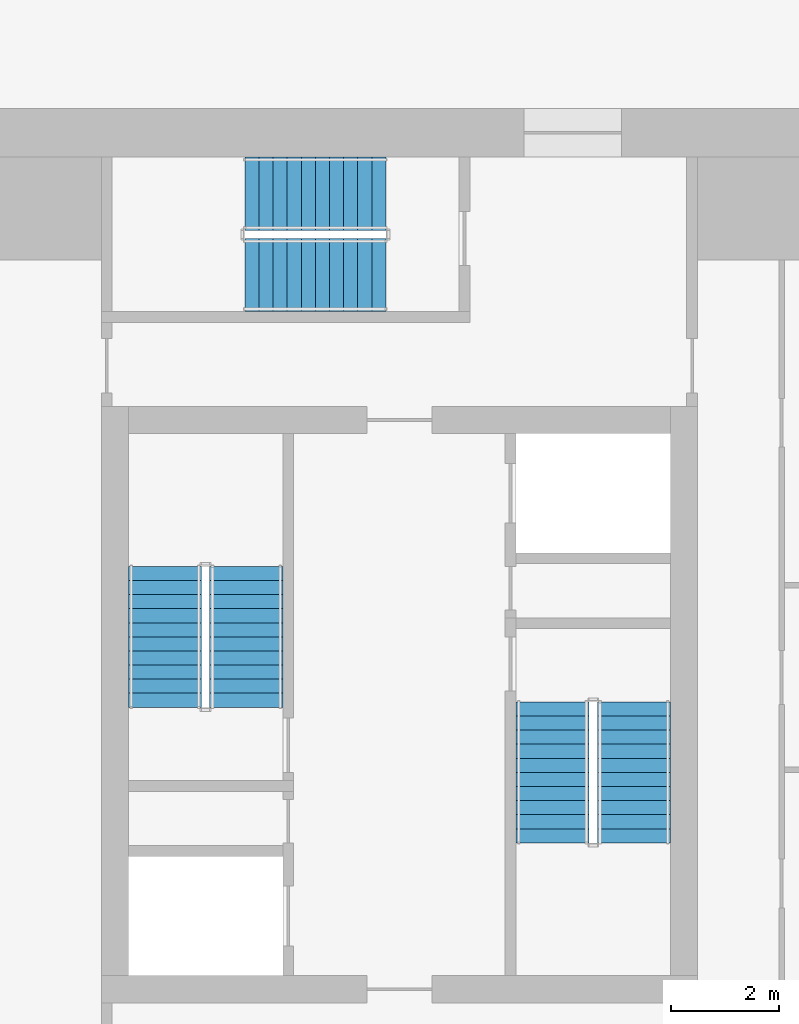
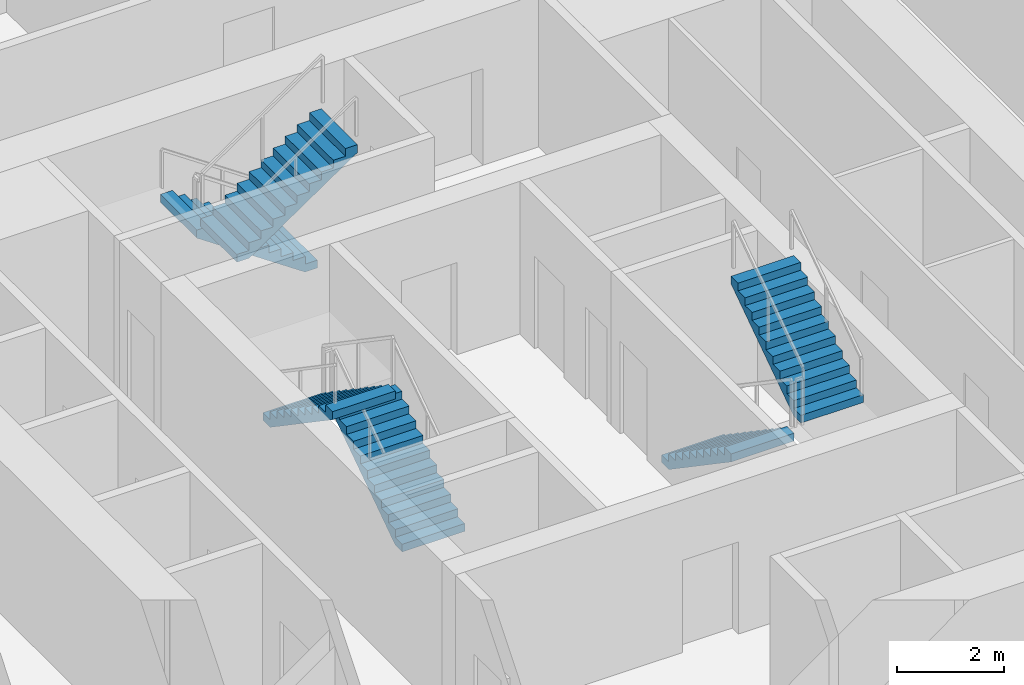
# One storey, part 11 of 16: 6 stair flights, 3 elements without a shape of their own.
"""IFC4 building model written with IfcOpenShell, lengths in metres."""

import ifcopenshell
import ifcopenshell.guid

model = None  # the IFC model being written
_history = None  # IfcOwnerHistory: only IFC2X3 demands one
_inside = {}  # id of a spatial element -> (the spatial element, [elements in it])
_under = {}  # id of a project, library or spatial element -> (it, [spatial elements below it])
_declared = {}  # id of a project -> (the project, [libraries it declares])
_typed = {}  # id of a type object -> (the type object, [elements of that type])
_made_of = {}  # id of a material, layer set ... -> (it, [elements and type objects made of it])


def new_model(schema):
    """Start an empty IFC model of exactly this schema.

    Asked for "IFC4X3", IfcOpenShell would pick the latest addendum, in which some entities
    have other attributes; the version numbers below select the first issue.
    IFC2X3 requires an IfcOwnerHistory on every rooted entity: one is made here for all.
    """
    global model, _history
    if schema == "IFC4X3":
        model = ifcopenshell.file(schema_version=(4, 3, 0, 0))
    else:
        model = ifcopenshell.file(schema=schema)
    _inside.clear()
    _under.clear()
    _declared.clear()
    _typed.clear()
    _made_of.clear()
    _history = None
    if model.schema == "IFC2X3":
        org = make("IfcOrganization", Name="unknown")
        user = make(
            "IfcPersonAndOrganization",
            ThePerson=make("IfcPerson", FamilyName="unknown"),
            TheOrganization=org,
        )
        app = make(
            "IfcApplication",
            ApplicationDeveloper=org,
            Version="unknown",
            ApplicationFullName="unknown",
            ApplicationIdentifier="unknown",
        )
        _history = make(
            "IfcOwnerHistory",
            OwningUser=user,
            OwningApplication=app,
            ChangeAction="ADDED",
            CreationDate=0,
        )
    return model


def make(cls, **values):
    """One entity of the class cls with the attributes given. An attribute that is None is left unset."""
    return model.create_entity(
        cls, **{name: value for name, value in values.items() if value is not None}
    )


def rooted(cls, **values):
    """An entity with a GlobalId (a new one), such as an element, a storey or a relation."""
    return make(cls, GlobalId=ifcopenshell.guid.new(), OwnerHistory=_history, **values)


def si_unit(unit_type, name, prefix=None):
    """IfcSIUnit, for example si_unit("LENGTHUNIT", "METRE", prefix="MILLI")."""
    return make("IfcSIUnit", UnitType=unit_type, Prefix=prefix, Name=name)


def assignment(units):
    """IfcUnitAssignment: the units of a project."""
    return None if units is None else make("IfcUnitAssignment", Units=units)


def point(xyz):
    """IfcCartesianPoint."""
    return None if xyz is None else make("IfcCartesianPoint", Coordinates=xyz)


def direction(xyz):
    """IfcDirection."""
    return None if xyz is None else make("IfcDirection", DirectionRatios=xyz)


def frame(location, z_axis=None, x_axis=None):
    """IfcAxis2Placement3D, a coordinate frame: its origin and axes. An axis left out is left unset."""
    return make(
        "IfcAxis2Placement3D",
        Location=point(location),
        Axis=direction(z_axis),
        RefDirection=direction(x_axis),
    )


def origin():
    """The frame at (0, 0, 0) with its axes left unset."""
    return frame((0.0, 0.0, 0.0))


def place(relative_to, where):
    """IfcLocalPlacement: puts the frame where relative to a parent placement (None: the world)."""
    return make(
        "IfcLocalPlacement", PlacementRelTo=relative_to, RelativePlacement=where
    )


def context(
    kind, dimensions, precision=None, world=None, true_north=None, identifier=None
):
    """IfcGeometricRepresentationContext, for example the 3D "Model" context."""
    return make(
        "IfcGeometricRepresentationContext",
        ContextIdentifier=identifier,
        ContextType=kind,
        CoordinateSpaceDimension=dimensions,
        Precision=precision,
        WorldCoordinateSystem=world,
        TrueNorth=true_north,
    )


def subcontext(parent, identifier, kind, view, scale=None):
    """IfcGeometricRepresentationSubContext, for example "Body" below "Model"."""
    return make(
        "IfcGeometricRepresentationSubContext",
        ContextIdentifier=identifier,
        ContextType=kind,
        ParentContext=parent,
        TargetScale=scale,
        TargetView=view,
    )


def project(units=None, contexts=None):
    """IfcProject with its units and contexts."""
    return rooted(
        "IfcProject",
        Name="project",
        RepresentationContexts=contexts,
        UnitsInContext=assignment(units),
    )


def spatial(cls, under=None, at=None, **own):
    """A site, building, storey or space (cls), placed at a placement, below another one or the project."""
    s = rooted(cls, ObjectPlacement=at, **own)
    if under is not None:
        _under.setdefault(under.id(), (under, []))[1].append(s)
    return s


def polyline(points):
    """IfcPolyline through the points."""
    return make("IfcPolyline", Points=[point(p) for p in points])


def outline(outer, holes=None, kind="AREA"):
    """IfcArbitraryClosedProfileDef: a profile drawn as a closed curve; with holes, ...WithVoids."""
    if holes is None:
        return make("IfcArbitraryClosedProfileDef", ProfileType=kind, OuterCurve=outer)
    return make(
        "IfcArbitraryProfileDefWithVoids",
        ProfileType=kind,
        OuterCurve=outer,
        InnerCurves=holes,
    )


def extrude(swept, where, along, depth):
    """IfcExtrudedAreaSolid: the profile swept, set in the frame where, extruded along a direction by depth."""
    return make(
        "IfcExtrudedAreaSolid",
        SweptArea=swept,
        Position=where,
        ExtrudedDirection=direction(along),
        Depth=depth,
    )


def shape(context_of_items, identifier, shape_type, items):
    """IfcShapeRepresentation: the items that make up one representation, for example the "Body"."""
    return make(
        "IfcShapeRepresentation",
        ContextOfItems=context_of_items,
        RepresentationIdentifier=identifier,
        RepresentationType=shape_type,
        Items=items,
    )


def material(Name=None, Category=None):
    """IfcMaterial."""
    return make("IfcMaterial", Name=Name, Category=Category)


def made_of(thing, what):
    """Note that an element or type object is made of a material, layer set ...; save() writes the relation."""
    if what is not None:
        _made_of.setdefault(what.id(), (what, []))[1].append(thing)
    return thing


def type_object(cls, material=None, **own):
    """A type object (cls), such as IfcWallType, which elements share."""
    return made_of(rooted(cls, **own), material)


def element(
    cls,
    number,
    at=None,
    inside=None,
    cuts=None,
    type_object=None,
    material=None,
    context=None,
    identifier="Body",
    shape_type=None,
    held_by="IfcProductDefinitionShape",
    body=None,
    shapes=None,
    **own,
):
    """One element of the class cls, such as IfcWall. Its Tag is "e" and its number.

    at: its placement. inside: the storey or other place that contains it. cuts: it is an
    opening in that element (IfcRelVoidsElement). A single representation is given by context,
    identifier, shape_type and body (its items); several are given by shapes. held_by: the class
    of the entity that holds the representations. save() writes the other relations.
    """
    e = rooted(cls, Tag="e%d" % number, ObjectPlacement=at, **own)
    if body is not None:
        shapes = [shape(context, identifier, shape_type, body)]
    if shapes is not None:
        e.Representation = make(held_by, Representations=shapes)
    if inside is not None:
        _inside.setdefault(inside.id(), (inside, []))[1].append(e)
    if cuts is not None:
        rooted(
            "IfcRelVoidsElement", RelatingBuildingElement=cuts, RelatedOpeningElement=e
        )
    if type_object is not None:
        _typed.setdefault(type_object.id(), (type_object, []))[1].append(e)
    return made_of(e, material)


def aggregate(whole, parts):
    """IfcRelAggregates: a whole, such as a stair, and the parts it consists of."""
    return rooted("IfcRelAggregates", RelatingObject=whole, RelatedObjects=parts)


def save(model, path):
    """Write the relations noted so far, then the file.

    IfcRelAggregates (storeys below a building ...), IfcRelContainedInSpatialStructure (elements
    in a storey), IfcRelDefinesByType, IfcRelAssociatesMaterial and IfcRelDeclares: one each for
    every whole, place, type object, material and project.
    """
    for whole, parts in _under.values():
        aggregate(whole, parts)
    for where, things in _inside.values():
        rooted(
            "IfcRelContainedInSpatialStructure",
            RelatedElements=things,
            RelatingStructure=where,
        )
    for kind, things in _typed.values():
        rooted("IfcRelDefinesByType", RelatedObjects=things, RelatingType=kind)
    for what, things in _made_of.values():
        rooted("IfcRelAssociatesMaterial", RelatedObjects=things, RelatingMaterial=what)
    for by, libraries in _declared.values():
        rooted("IfcRelDeclares", RelatingContext=by, RelatedDefinitions=libraries)
    model.write(path)


model = new_model("IFC4")

# Units and contexts
model_context = context("Model", 3, precision=1e-05, world=origin(), true_north=direction((0.0, 1.0)))
body_context = subcontext(model_context, "Body", "Model", "MODEL_VIEW")
ifc_project = project(units=[si_unit("LENGTHUNIT", "METRE"), si_unit("AREAUNIT", "SQUARE_METRE"), si_unit("VOLUMEUNIT", "CUBIC_METRE"), si_unit("PLANEANGLEUNIT", "RADIAN"), si_unit("MASSUNIT", "GRAM", prefix="KILO")], contexts=[model_context])

# Site, building, storey
site_placement = place(None, origin())
site = spatial("IfcSite", under=ifc_project, at=site_placement, CompositionType="ELEMENT")
building_placement = place(site_placement, origin())
building = spatial("IfcBuilding", under=site, at=building_placement, Name="Khepri Terraces", CompositionType="ELEMENT")
storey_placement = place(building_placement, frame((0.0, 0.0, 79.199951171875)))
storey = spatial("IfcBuildingStorey", under=building, at=storey_placement, Name="L18", CompositionType="ELEMENT", Elevation=79.199951171875)

# Stair, stair flights
ifc_material = material(Name="Concrete C40/50", Category="concrete")
stair_type = type_object("IfcStairType", Name="STAIR-RC-22R", PredefinedType="HALF_TURN_STAIR", material=ifc_material)
stair_1_placement = place(storey_placement, origin())
stair_1 = element("IfcStair", 1, at=stair_1_placement, inside=storey, type_object=stair_type, Name="L18 Exit Stair ST-1", PredefinedType="HALF_TURN_STAIR")
stair_flight_type = type_object("IfcStairFlightType", Name="SFL-RC-177.3", PredefinedType="STRAIGHT", material=ifc_material)
stair_flight_1_placement = place(storey_placement, frame((-2.824951171875, -0.050048828125, 0.0), z_axis=(0.0, 0.0, 1.0), x_axis=(0.0, 1.0, 0.0)))
stair_flight_1 = element("IfcStairFlight", 2, at=stair_flight_1_placement, type_object=stair_flight_type, Name="ST-1 flight 1", NumberOfRisers=11, NumberOfTreads=10, PredefinedType="STRAIGHT", RiserHeight=0.177272727, TreadLength=0.26, context=body_context, shape_type="SweptSolid", body=[
    extrude(outline(polyline([(0.0, 0.0), (0.0, 0.17724609375), (0.260009765625, 0.17724609375), (0.260009765625, 0.3544921875), (0.52001953125, 0.3544921875), (0.52001953125, 0.53173828125), (0.780029296875, 0.53173828125), (0.780029296875, 0.708984375), (1.0400390625, 0.708984375), (1.0400390625, 0.886474609375), (1.300048828125, 0.886474609375), (1.300048828125, 1.063720703125), (1.56005859375, 1.063720703125), (1.56005859375, 1.240966796875), (1.820068359375, 1.240966796875), (1.820068359375, 1.418212890625), (2.080078125, 1.418212890625), (2.080078125, 1.595458984375), (2.340087890625, 1.595458984375), (2.340087890625, 1.772705078125), (2.60009765625, 1.772705078125), (2.60009765625, 1.949951171875), (2.60009765625, 1.59130859375), (0.26611328125, 0.0), (0.0, 0.0)])), frame((0.0, 0.675048828125, 0.0), z_axis=(0.0, -1.0, 0.0), x_axis=(1.0, 0.0, 0.0)), (0.0, 0.0, 1.0), 1.35009765625),
])
stair_flight_2_placement = place(storey_placement, frame((-4.324951171875, 2.550048828125, 1.949951171875), z_axis=(0.0, 0.0, 1.0), x_axis=(0.0, -1.0, 0.0)))
stair_flight_2 = element("IfcStairFlight", 3, at=stair_flight_2_placement, type_object=stair_flight_type, Name="ST-1 flight 2", NumberOfRisers=11, NumberOfTreads=10, PredefinedType="STRAIGHT", RiserHeight=0.177272727, TreadLength=0.26, context=body_context, shape_type="SweptSolid", body=[
    extrude(outline(polyline([(0.0, 0.0), (0.0, 0.17724609375), (0.260009765625, 0.17724609375), (0.260009765625, 0.3544921875), (0.52001953125, 0.3544921875), (0.52001953125, 0.53173828125), (0.780029296875, 0.53173828125), (0.780029296875, 0.708984375), (1.0400390625, 0.708984375), (1.0400390625, 0.886474609375), (1.300048828125, 0.886474609375), (1.300048828125, 1.063720703125), (1.56005859375, 1.063720703125), (1.56005859375, 1.240966796875), (1.820068359375, 1.240966796875), (1.820068359375, 1.418212890625), (2.080078125, 1.418212890625), (2.080078125, 1.595458984375), (2.340087890625, 1.595458984375), (2.340087890625, 1.772705078125), (2.60009765625, 1.772705078125), (2.60009765625, 1.949951171875), (2.60009765625, 1.59130859375), (0.26611328125, 0.0), (0.0, 0.0)])), frame((0.0, 0.675048828125, 0.0), z_axis=(0.0, -1.0, 0.0), x_axis=(1.0, 0.0, 0.0)), (0.0, 0.0, 1.0), 1.35009765625),
])
aggregate(stair_1, [stair_flight_1, stair_flight_2])

stair_2_placement = place(storey_placement, origin())
stair_2 = element("IfcStair", 4, at=stair_2_placement, inside=storey, type_object=stair_type, Name="L18 Exit Stair ST-2", PredefinedType="HALF_TURN_STAIR")
stair_flight_3_placement = place(storey_placement, frame((2.824951171875, 0.050048828125, 0.0), z_axis=(0.0, 0.0, 1.0), x_axis=(0.0, -1.0, 0.0)))
stair_flight_3 = element("IfcStairFlight", 5, at=stair_flight_3_placement, type_object=stair_flight_type, Name="ST-2 flight 1", NumberOfRisers=11, NumberOfTreads=10, PredefinedType="STRAIGHT", RiserHeight=0.177272727, TreadLength=0.26, context=body_context, shape_type="SweptSolid", body=[
    extrude(outline(polyline([(0.0, 0.0), (0.0, 0.17724609375), (0.260009765625, 0.17724609375), (0.260009765625, 0.3544921875), (0.52001953125, 0.3544921875), (0.52001953125, 0.53173828125), (0.780029296875, 0.53173828125), (0.780029296875, 0.708984375), (1.0400390625, 0.708984375), (1.0400390625, 0.886474609375), (1.300048828125, 0.886474609375), (1.300048828125, 1.063720703125), (1.56005859375, 1.063720703125), (1.56005859375, 1.240966796875), (1.820068359375, 1.240966796875), (1.820068359375, 1.418212890625), (2.080078125, 1.418212890625), (2.080078125, 1.595458984375), (2.340087890625, 1.595458984375), (2.340087890625, 1.772705078125), (2.60009765625, 1.772705078125), (2.60009765625, 1.949951171875), (2.60009765625, 1.59130859375), (0.26611328125, 0.0), (0.0, 0.0)])), frame((0.0, 0.675048828125, 0.0), z_axis=(0.0, -1.0, 0.0), x_axis=(1.0, 0.0, 0.0)), (0.0, 0.0, 1.0), 1.35009765625),
])
stair_flight_4_placement = place(storey_placement, frame((4.324951171875, -2.550048828125, 1.949951171875), z_axis=(0.0, 0.0, 1.0), x_axis=(0.0, 1.0, 0.0)))
stair_flight_4 = element("IfcStairFlight", 6, at=stair_flight_4_placement, type_object=stair_flight_type, Name="ST-2 flight 2", NumberOfRisers=11, NumberOfTreads=10, PredefinedType="STRAIGHT", RiserHeight=0.177272727, TreadLength=0.26, context=body_context, shape_type="SweptSolid", body=[
    extrude(outline(polyline([(0.0, 0.0), (0.0, 0.17724609375), (0.260009765625, 0.17724609375), (0.260009765625, 0.3544921875), (0.52001953125, 0.3544921875), (0.52001953125, 0.53173828125), (0.780029296875, 0.53173828125), (0.780029296875, 0.708984375), (1.0400390625, 0.708984375), (1.0400390625, 0.886474609375), (1.300048828125, 0.886474609375), (1.300048828125, 1.063720703125), (1.56005859375, 1.063720703125), (1.56005859375, 1.240966796875), (1.820068359375, 1.240966796875), (1.820068359375, 1.418212890625), (2.080078125, 1.418212890625), (2.080078125, 1.595458984375), (2.340087890625, 1.595458984375), (2.340087890625, 1.772705078125), (2.60009765625, 1.772705078125), (2.60009765625, 1.949951171875), (2.60009765625, 1.59130859375), (0.26611328125, 0.0), (0.0, 0.0)])), frame((0.0, 0.675048828125, 0.0), z_axis=(0.0, -1.0, 0.0), x_axis=(1.0, 0.0, 0.0)), (0.0, 0.0, 1.0), 1.35009765625),
])
aggregate(stair_2, [stair_flight_3, stair_flight_4])

stair_3_placement = place(storey_placement, origin())
stair_3 = element("IfcStair", 7, at=stair_3_placement, inside=storey, type_object=stair_type, Name="L18 Exit Stair ST-3", PredefinedType="HALF_TURN_STAIR")
stair_flight_5_placement = place(storey_placement, frame((-0.25, 9.425048828125, 0.0), z_axis=(0.0, 0.0, 1.0), x_axis=(-1.0, 0.0, 0.0)))
stair_flight_5 = element("IfcStairFlight", 8, at=stair_flight_5_placement, type_object=stair_flight_type, Name="ST-3 flight 1", NumberOfRisers=11, NumberOfTreads=10, PredefinedType="STRAIGHT", RiserHeight=0.177272727, TreadLength=0.26, context=body_context, shape_type="SweptSolid", body=[
    extrude(outline(polyline([(0.0, 0.0), (0.0, 0.17724609375), (0.260009765625, 0.17724609375), (0.260009765625, 0.3544921875), (0.52001953125, 0.3544921875), (0.52001953125, 0.53173828125), (0.780029296875, 0.53173828125), (0.780029296875, 0.708984375), (1.0400390625, 0.708984375), (1.0400390625, 0.886474609375), (1.300048828125, 0.886474609375), (1.300048828125, 1.063720703125), (1.56005859375, 1.063720703125), (1.56005859375, 1.240966796875), (1.820068359375, 1.240966796875), (1.820068359375, 1.418212890625), (2.080078125, 1.418212890625), (2.080078125, 1.595458984375), (2.340087890625, 1.595458984375), (2.340087890625, 1.772705078125), (2.60009765625, 1.772705078125), (2.60009765625, 1.949951171875), (2.60009765625, 1.59130859375), (0.26611328125, 0.0), (0.0, 0.0)])), frame((0.0, 0.675048828125, 0.0), z_axis=(0.0, -1.0, 0.0), x_axis=(1.0, 0.0, 0.0)), (0.0, 0.0, 1.0), 1.35009765625),
])
stair_flight_6_placement = place(storey_placement, frame((-2.85009765625, 7.925048828125, 1.949951171875), z_axis=(0.0, 0.0, 1.0), x_axis=(1.0, 0.0, 0.0)))
stair_flight_6 = element("IfcStairFlight", 9, at=stair_flight_6_placement, type_object=stair_flight_type, Name="ST-3 flight 2", NumberOfRisers=11, NumberOfTreads=10, PredefinedType="STRAIGHT", RiserHeight=0.177272727, TreadLength=0.26, context=body_context, shape_type="SweptSolid", body=[
    extrude(outline(polyline([(0.0, 0.0), (0.0, 0.17724609375), (0.260009765625, 0.17724609375), (0.260009765625, 0.3544921875), (0.52001953125, 0.3544921875), (0.52001953125, 0.53173828125), (0.780029296875, 0.53173828125), (0.780029296875, 0.708984375), (1.0400390625, 0.708984375), (1.0400390625, 0.886474609375), (1.300048828125, 0.886474609375), (1.300048828125, 1.063720703125), (1.56005859375, 1.063720703125), (1.56005859375, 1.240966796875), (1.820068359375, 1.240966796875), (1.820068359375, 1.418212890625), (2.080078125, 1.418212890625), (2.080078125, 1.595458984375), (2.340087890625, 1.595458984375), (2.340087890625, 1.772705078125), (2.60009765625, 1.772705078125), (2.60009765625, 1.949951171875), (2.60009765625, 1.59130859375), (0.26611328125, 0.0), (0.0, 0.0)])), frame((0.0, 0.675048828125, 0.0), z_axis=(0.0, -1.0, 0.0), x_axis=(1.0, 0.0, 0.0)), (0.0, 0.0, 1.0), 1.35009765625),
])
aggregate(stair_3, [stair_flight_5, stair_flight_6])

save(model, "model.ifc")
